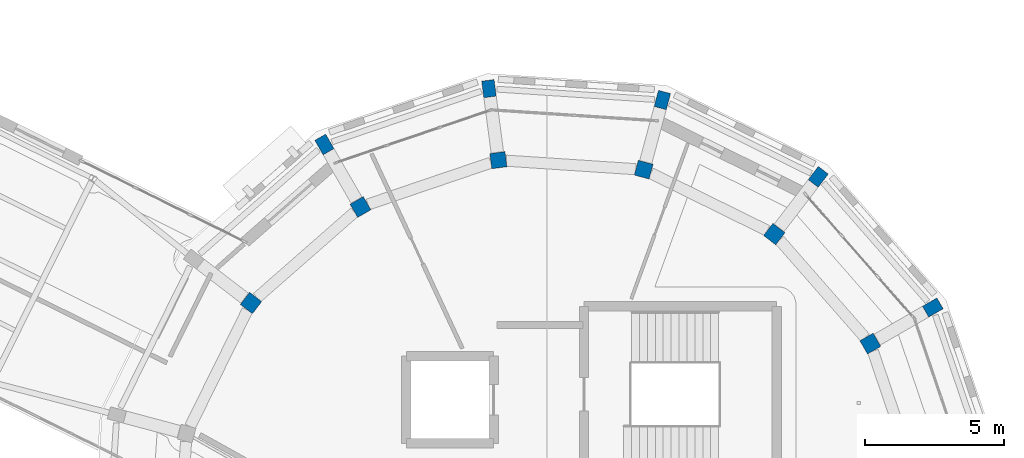
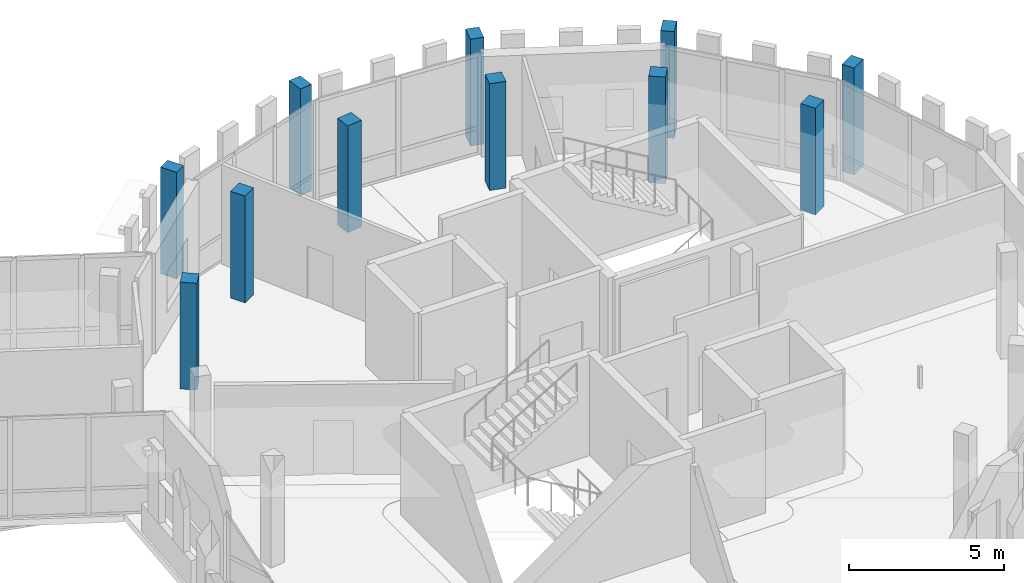
# One storey, part 26 of 125: 11 columns.
"""IFC4 building model written with IfcOpenShell, lengths in metres."""

import ifcopenshell
import ifcopenshell.guid

model = None  # the IFC model being written
_history = None  # IfcOwnerHistory: only IFC2X3 demands one
_inside = {}  # id of a spatial element -> (the spatial element, [elements in it])
_under = {}  # id of a project, library or spatial element -> (it, [spatial elements below it])
_declared = {}  # id of a project -> (the project, [libraries it declares])
_typed = {}  # id of a type object -> (the type object, [elements of that type])
_made_of = {}  # id of a material, layer set ... -> (it, [elements and type objects made of it])


def new_model(schema):
    """Start an empty IFC model of exactly this schema.

    Asked for "IFC4X3", IfcOpenShell would pick the latest addendum, in which some entities
    have other attributes; the version numbers below select the first issue.
    IFC2X3 requires an IfcOwnerHistory on every rooted entity: one is made here for all.
    """
    global model, _history
    if schema == "IFC4X3":
        model = ifcopenshell.file(schema_version=(4, 3, 0, 0))
    else:
        model = ifcopenshell.file(schema=schema)
    _inside.clear()
    _under.clear()
    _declared.clear()
    _typed.clear()
    _made_of.clear()
    _history = None
    if model.schema == "IFC2X3":
        org = make("IfcOrganization", Name="unknown")
        user = make(
            "IfcPersonAndOrganization",
            ThePerson=make("IfcPerson", FamilyName="unknown"),
            TheOrganization=org,
        )
        app = make(
            "IfcApplication",
            ApplicationDeveloper=org,
            Version="unknown",
            ApplicationFullName="unknown",
            ApplicationIdentifier="unknown",
        )
        _history = make(
            "IfcOwnerHistory",
            OwningUser=user,
            OwningApplication=app,
            ChangeAction="ADDED",
            CreationDate=0,
        )
    return model


def make(cls, **values):
    """One entity of the class cls with the attributes given. An attribute that is None is left unset."""
    return model.create_entity(
        cls, **{name: value for name, value in values.items() if value is not None}
    )


def rooted(cls, **values):
    """An entity with a GlobalId (a new one), such as an element, a storey or a relation."""
    return make(cls, GlobalId=ifcopenshell.guid.new(), OwnerHistory=_history, **values)


def si_unit(unit_type, name, prefix=None):
    """IfcSIUnit, for example si_unit("LENGTHUNIT", "METRE", prefix="MILLI")."""
    return make("IfcSIUnit", UnitType=unit_type, Prefix=prefix, Name=name)


def assignment(units):
    """IfcUnitAssignment: the units of a project."""
    return None if units is None else make("IfcUnitAssignment", Units=units)


def point(xyz):
    """IfcCartesianPoint."""
    return None if xyz is None else make("IfcCartesianPoint", Coordinates=xyz)


def direction(xyz):
    """IfcDirection."""
    return None if xyz is None else make("IfcDirection", DirectionRatios=xyz)


def frame(location, z_axis=None, x_axis=None):
    """IfcAxis2Placement3D, a coordinate frame: its origin and axes. An axis left out is left unset."""
    return make(
        "IfcAxis2Placement3D",
        Location=point(location),
        Axis=direction(z_axis),
        RefDirection=direction(x_axis),
    )


def frame_2d(location, x_axis=None):
    """IfcAxis2Placement2D, a coordinate frame in the plane: its origin and x axis."""
    return make(
        "IfcAxis2Placement2D", Location=point(location), RefDirection=direction(x_axis)
    )


def origin():
    """The frame at (0, 0, 0) with its axes left unset."""
    return frame((0.0, 0.0, 0.0))


def origin_2d():
    """The frame at (0, 0) in the plane with its x axis left unset."""
    return frame_2d((0.0, 0.0))


def place(relative_to, where):
    """IfcLocalPlacement: puts the frame where relative to a parent placement (None: the world)."""
    return make(
        "IfcLocalPlacement", PlacementRelTo=relative_to, RelativePlacement=where
    )


def context(
    kind, dimensions, precision=None, world=None, true_north=None, identifier=None
):
    """IfcGeometricRepresentationContext, for example the 3D "Model" context."""
    return make(
        "IfcGeometricRepresentationContext",
        ContextIdentifier=identifier,
        ContextType=kind,
        CoordinateSpaceDimension=dimensions,
        Precision=precision,
        WorldCoordinateSystem=world,
        TrueNorth=true_north,
    )


def subcontext(parent, identifier, kind, view, scale=None):
    """IfcGeometricRepresentationSubContext, for example "Body" below "Model"."""
    return make(
        "IfcGeometricRepresentationSubContext",
        ContextIdentifier=identifier,
        ContextType=kind,
        ParentContext=parent,
        TargetScale=scale,
        TargetView=view,
    )


def project(units=None, contexts=None):
    """IfcProject with its units and contexts."""
    return rooted(
        "IfcProject",
        Name="project",
        RepresentationContexts=contexts,
        UnitsInContext=assignment(units),
    )


def spatial(cls, under=None, at=None, **own):
    """A site, building, storey or space (cls), placed at a placement, below another one or the project."""
    s = rooted(cls, ObjectPlacement=at, **own)
    if under is not None:
        _under.setdefault(under.id(), (under, []))[1].append(s)
    return s


def profile(cls, at=None, kind="AREA", **sizes):
    """A parametric profile (cls). Its sizes go by their IFC names, for example OverallWidth=200.0."""
    return make(cls, ProfileType=kind, Position=at, **sizes)


def rectangle(**sizes):
    """IfcRectangleProfileDef."""
    return profile("IfcRectangleProfileDef", **sizes)


def extrude(swept, where, along, depth):
    """IfcExtrudedAreaSolid: the profile swept, set in the frame where, extruded along a direction by depth."""
    return make(
        "IfcExtrudedAreaSolid",
        SweptArea=swept,
        Position=where,
        ExtrudedDirection=direction(along),
        Depth=depth,
    )


def shape(context_of_items, identifier, shape_type, items):
    """IfcShapeRepresentation: the items that make up one representation, for example the "Body"."""
    return make(
        "IfcShapeRepresentation",
        ContextOfItems=context_of_items,
        RepresentationIdentifier=identifier,
        RepresentationType=shape_type,
        Items=items,
    )


def material(Name=None, Category=None):
    """IfcMaterial."""
    return make("IfcMaterial", Name=Name, Category=Category)


def material_profile(
    of_material, cross_section, Name=None, Category=None, Priority=None
):
    """IfcMaterialProfile: a cross section and its material."""
    return make(
        "IfcMaterialProfile",
        Name=Name,
        Material=of_material,
        Profile=cross_section,
        Priority=Priority,
        Category=Category,
    )


def profile_set(profiles, Name=None, composite=None):
    """IfcMaterialProfileSet."""
    return make(
        "IfcMaterialProfileSet",
        Name=Name,
        MaterialProfiles=profiles,
        CompositeProfile=composite,
    )


def made_of(thing, what):
    """Note that an element or type object is made of a material, layer set ...; save() writes the relation."""
    if what is not None:
        _made_of.setdefault(what.id(), (what, []))[1].append(thing)
    return thing


def type_object(cls, material=None, **own):
    """A type object (cls), such as IfcWallType, which elements share."""
    return made_of(rooted(cls, **own), material)


def element(
    cls,
    number,
    at=None,
    inside=None,
    cuts=None,
    type_object=None,
    material=None,
    context=None,
    identifier="Body",
    shape_type=None,
    held_by="IfcProductDefinitionShape",
    body=None,
    shapes=None,
    **own,
):
    """One element of the class cls, such as IfcWall. Its Tag is "e" and its number.

    at: its placement. inside: the storey or other place that contains it. cuts: it is an
    opening in that element (IfcRelVoidsElement). A single representation is given by context,
    identifier, shape_type and body (its items); several are given by shapes. held_by: the class
    of the entity that holds the representations. save() writes the other relations.
    """
    e = rooted(cls, Tag="e%d" % number, ObjectPlacement=at, **own)
    if body is not None:
        shapes = [shape(context, identifier, shape_type, body)]
    if shapes is not None:
        e.Representation = make(held_by, Representations=shapes)
    if inside is not None:
        _inside.setdefault(inside.id(), (inside, []))[1].append(e)
    if cuts is not None:
        rooted(
            "IfcRelVoidsElement", RelatingBuildingElement=cuts, RelatedOpeningElement=e
        )
    if type_object is not None:
        _typed.setdefault(type_object.id(), (type_object, []))[1].append(e)
    return made_of(e, material)


def aggregate(whole, parts):
    """IfcRelAggregates: a whole, such as a stair, and the parts it consists of."""
    return rooted("IfcRelAggregates", RelatingObject=whole, RelatedObjects=parts)


def save(model, path):
    """Write the relations noted so far, then the file.

    IfcRelAggregates (storeys below a building ...), IfcRelContainedInSpatialStructure (elements
    in a storey), IfcRelDefinesByType, IfcRelAssociatesMaterial and IfcRelDeclares: one each for
    every whole, place, type object, material and project.
    """
    for whole, parts in _under.values():
        aggregate(whole, parts)
    for where, things in _inside.values():
        rooted(
            "IfcRelContainedInSpatialStructure",
            RelatedElements=things,
            RelatingStructure=where,
        )
    for kind, things in _typed.values():
        rooted("IfcRelDefinesByType", RelatedObjects=things, RelatingType=kind)
    for what, things in _made_of.values():
        rooted("IfcRelAssociatesMaterial", RelatedObjects=things, RelatingMaterial=what)
    for by, libraries in _declared.values():
        rooted("IfcRelDeclares", RelatingContext=by, RelatedDefinitions=libraries)
    model.write(path)


model = new_model("IFC4")

# Units and contexts
model_context = context("Model", 3, precision=1e-05, world=origin(), true_north=direction((0.0, 1.0)))
body_context = subcontext(model_context, "Body", "Model", "MODEL_VIEW")
ifc_project = project(units=[si_unit("LENGTHUNIT", "METRE"), si_unit("AREAUNIT", "SQUARE_METRE"), si_unit("VOLUMEUNIT", "CUBIC_METRE"), si_unit("PLANEANGLEUNIT", "RADIAN"), si_unit("MASSUNIT", "GRAM", prefix="KILO")], contexts=[model_context])

# Site, building, storey
site_placement = place(None, origin())
site = spatial("IfcSite", under=ifc_project, at=site_placement, CompositionType="ELEMENT")
building_placement = place(site_placement, origin())
building = spatial("IfcBuilding", under=site, at=building_placement, Name="Wrenclough Park School", CompositionType="ELEMENT")
storey_placement = place(building_placement, frame((0.0, 0.0, 4.199951171875)))
storey = spatial("IfcBuildingStorey", under=building, at=storey_placement, Name="L01", CompositionType="ELEMENT", Elevation=4.199951171875)

# Columns
ifc_material = material(Name="Concrete C40/50", Category="concrete")
ifc_material_profile_1 = material_profile(ifc_material, rectangle(XDim=0.550048828125, YDim=0.550048828125, at=origin_2d()), Name="RC COL 550x550")
ifc_profile_set_1 = profile_set([ifc_material_profile_1], Name="Concrete C40/50")
column_type_1 = type_object("IfcColumnType", Name="STR-COL-RC550", PredefinedType="COLUMN", material=ifc_profile_set_1)
for number, where, z_axis, x_axis, name in (
    (1, (186.14794921875, 100.22509765625, 0.0), (0.0, 0.0, 1.0), (-0.5, 0.866025403784, 0.0), "D5 L01 column D5-MID-02"),
    (2, (182.687744140625, 104.170654296875, 0.0), (0.0, 0.0, 1.0), (-0.793353340291, 0.608761429009, 0.0), "D5 L01 column D5-MID-03"),
    (3, (177.981201171875, 106.49169921875, 0.0), (0.0, 0.0, 1.0), (-0.965925826289, 0.258819045103, 0.0), "D5 L01 column D5-MID-04"),
    (4, (172.744384765625, 106.8349609375, 0.0), (0.0, 0.0, 1.0), (-0.991444861374, -0.13052619222, 0.0), "D5 L01 column D5-MID-05"),
    (5, (167.77490234375, 105.14794921875, 0.0), (0.0, 0.0, 1.0), (-0.866025403784, -0.5, 0.0), "D5 L01 column D5-MID-06"),
    (6, (163.829345703125, 101.687744140625, 0.0), (0.0, 0.0, 1.0), (-0.608761429009, -0.793353340291, 0.0), "D5 L01 column D5-MID-07"),
):
    element("IfcColumn", number, at=place(storey_placement, frame(where, z_axis=z_axis, x_axis=x_axis)), inside=storey, type_object=column_type_1, Name=name, PredefinedType="COLUMN", context=body_context, shape_type="SweptSolid", body=[
        extrude(rectangle(XDim=0.550048828125, YDim=0.550048828125, at=origin_2d()), origin(), (0.0, 0.0, 1.0), 4.199951171875),
    ])
ifc_material_profile_2 = material_profile(ifc_material, rectangle(XDim=0.449951171875, YDim=0.60009765625, at=origin_2d()), Name="RC COL 600x450")
ifc_profile_set_2 = profile_set([ifc_material_profile_2], Name="Concrete C40/50")
column_type_2 = type_object("IfcColumnType", Name="STR-COL-RC600x450", PredefinedType="PILASTER", material=ifc_profile_set_2)
for number, where, z_axis, x_axis, name in (
    (7, (188.399658203125, 101.52490234375, 0.0), (0.0, 0.0, 1.0), (-0.5, 0.866025403784, 0.0), "D5 L01 column D5-OUT-02"),
    (8, (184.2705078125, 106.2333984375, 0.0), (0.0, 0.0, 1.0), (-0.793353340291, 0.608761429009, 0.0), "D5 L01 column D5-OUT-03"),
    (9, (178.654052734375, 109.003173828125, 0.0), (0.0, 0.0, 1.0), (-0.965925826289, 0.258819045103, 0.0), "D5 L01 column D5-OUT-04"),
    (10, (172.405029296875, 109.41259765625, 0.0), (0.0, 0.0, 1.0), (-0.991444861374, -0.13052619222, 0.0), "D5 L01 column D5-OUT-05"),
    (11, (166.47509765625, 107.399658203125, 0.0), (0.0, 0.0, 1.0), (-0.866025403784, -0.5, 0.0), "D5 L01 column D5-OUT-06"),
):
    element("IfcColumn", number, at=place(storey_placement, frame(where, z_axis=z_axis, x_axis=x_axis)), inside=storey, type_object=column_type_2, Name=name, PredefinedType="PILASTER", context=body_context, shape_type="SweptSolid", body=[
        extrude(rectangle(XDim=0.449951171875, YDim=0.60009765625, at=origin_2d()), origin(), (0.0, 0.0, 1.0), 4.199951171875),
    ])

save(model, "model.ifc")
